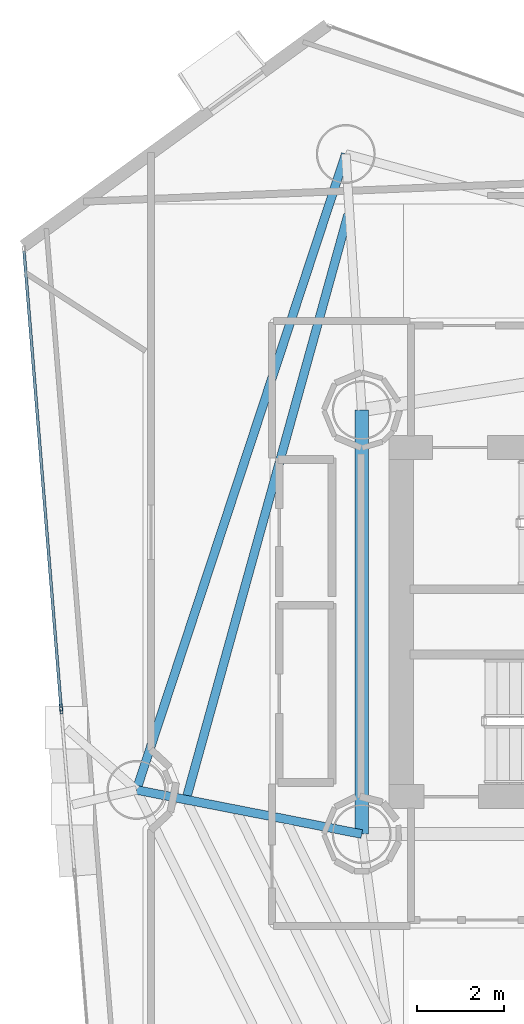
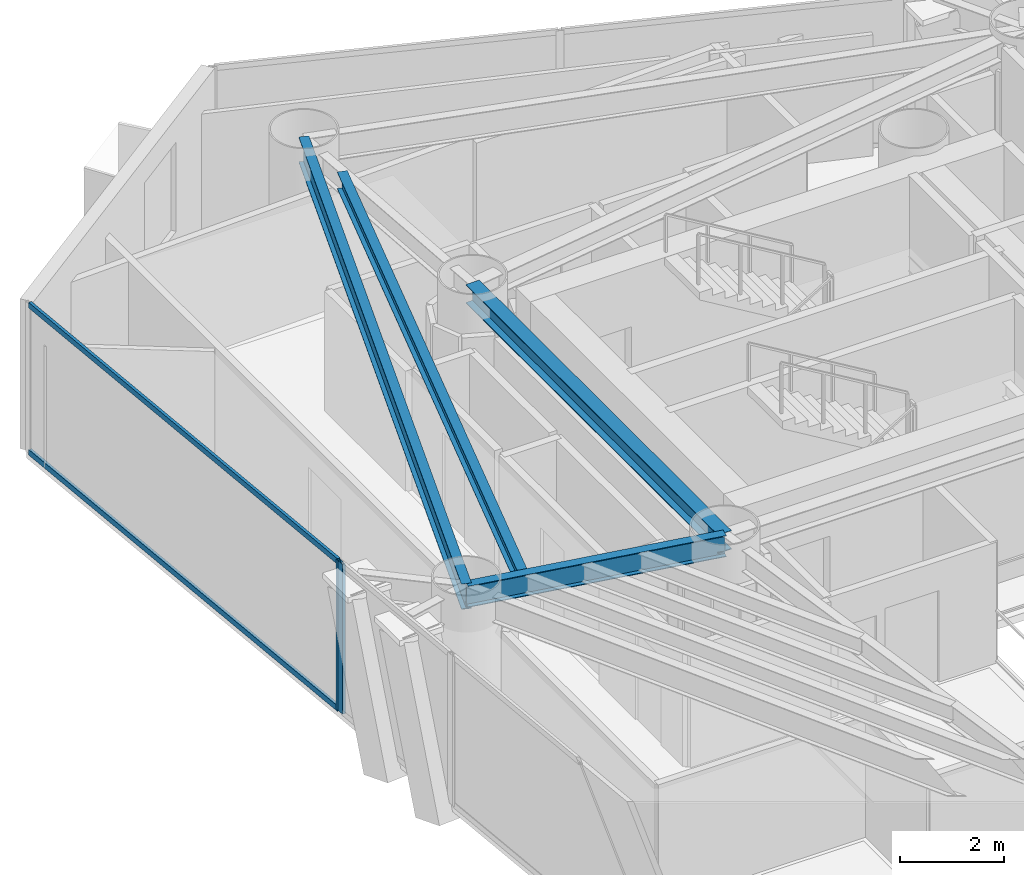
# One storey, part 9 of 21: 4 beams, 4 members, 2 elements without a shape of their own.
"""IFC4 building model written with IfcOpenShell, lengths in metres."""

from ifc_helpers import new_model, si_unit, direction, frame, origin, origin_2d, place, context, subcontext, project, spatial, hollow_rectangle, i_section, extrude, material, layer, layer_set, material_profile, profile_set, type_object, element, aggregate, save


model = new_model("IFC4")

# Units and contexts
model_context = context("Model", 3, precision=1e-05, world=origin(), true_north=direction((0.0, 1.0)))
body_context = subcontext(model_context, "Body", "Model", "MODEL_VIEW")
ifc_project = project(units=[si_unit("LENGTHUNIT", "METRE"), si_unit("AREAUNIT", "SQUARE_METRE"), si_unit("VOLUMEUNIT", "CUBIC_METRE"), si_unit("PLANEANGLEUNIT", "RADIAN"), si_unit("MASSUNIT", "GRAM", prefix="KILO")], contexts=[model_context])

# Site, building, storey
site_placement = place(None, origin())
site = spatial("IfcSite", under=ifc_project, at=site_placement, CompositionType="ELEMENT")
building_placement = place(site_placement, origin())
building = spatial("IfcBuilding", under=site, at=building_placement, Name="Qianvela Tower", CompositionType="ELEMENT")
storey_placement = place(building_placement, frame((0.0, 0.0, 166.10009765625)))
storey = spatial("IfcBuildingStorey", under=building, at=storey_placement, Name="L42", CompositionType="ELEMENT", Elevation=166.10009765625)

# Beams
ifc_material_1 = material(Name="Steel Q355B", Category="steel")
ifc_material_profile_1 = material_profile(ifc_material_1, i_section(OverallWidth=0.300048828125, OverallDepth=0.43994140625, WebThickness=0.010986328125, FlangeThickness=0.01806640625, at=origin_2d()), Name="HM440x300x11x18")
ifc_profile_set_1 = profile_set([ifc_material_profile_1], Name="Steel Q355B")
beam_type_1 = type_object("IfcBeamType", Name="BM-HM440-COLL", PredefinedType="BEAM", material=ifc_profile_set_1)
beam_1_placement = place(storey_placement, frame((28.60009765625, 33.550048828125, 3.2978515625), z_axis=(0.0, -1.0, 0.0), x_axis=(1.0, 0.0, 0.0)))
element("IfcBeam", 1, at=beam_1_placement, inside=storey, type_object=beam_type_1, Name="L42 Core Ring Collector Girder CC2", PredefinedType="BEAM", context=body_context, shape_type="SweptSolid", body=[
    extrude(i_section(OverallWidth=0.300048828125, OverallDepth=0.43994140625, WebThickness=0.010986328125, FlangeThickness=0.01806640625, at=origin_2d()), origin(), (0.0, 0.0, 1.0), 9.699951171875),
])
ifc_material_2 = material(Name="Steel Q355B", Category="steel")
ifc_material_profile_2 = material_profile(ifc_material_2, i_section(OverallWidth=0.199951171875, OverallDepth=0.39990234375, WebThickness=0.008056640625, FlangeThickness=0.012939453125, at=origin_2d()), Name="HN400x200x8x13")
ifc_profile_set_2 = profile_set([ifc_material_profile_2], Name="Steel Q355B")
beam_type_2 = type_object("IfcBeamType", Name="BM-HN400-JOIST", PredefinedType="JOIST", material=ifc_profile_set_2)
beam_2_placement = place(storey_placement, frame((28.289794921875, 38.029052734375, 3.31787109375), z_axis=(-0.266971346744, -0.963704467157, 0.0), x_axis=(0.963704467157, -0.266971346744, 0.0)))
element("IfcBeam", 2, at=beam_2_placement, inside=storey, type_object=beam_type_2, Name="L42 Secondary Composite Floor Joist 3.3", PredefinedType="JOIST", context=body_context, shape_type="SweptSolid", body=[
    extrude(i_section(OverallWidth=0.199951171875, OverallDepth=0.39990234375, WebThickness=0.008056640625, FlangeThickness=0.012939453125, at=origin_2d()), origin(), (0.0, 0.0, 1.0), 13.800537109375),
])
ifc_material_3 = material(Name="Steel Q355B", Category="steel")
ifc_material_profile_3 = material_profile(ifc_material_3, i_section(OverallWidth=0.199951171875, OverallDepth=0.5, WebThickness=0.010009765625, FlangeThickness=0.01611328125, at=origin_2d()), Name="HN500x200x10x16")
ifc_profile_set_3 = profile_set([ifc_material_profile_3], Name="Steel Q355B")
beam_type_3 = type_object("IfcBeamType", Name="BM-HN500-GIRD", PredefinedType="BEAM", material=ifc_profile_set_3)
beam_3_placement = place(storey_placement, frame((28.60009765625, 23.85009765625, 3.267822265625), z_axis=(-0.98137875074, 0.192082658238, 0.0), x_axis=(-0.192082658238, -0.98137875074, 0.0)))
element("IfcBeam", 3, at=beam_3_placement, inside=storey, type_object=beam_type_3, Name="L42 Radial Primary Floor Girder 4", PredefinedType="BEAM", context=body_context, shape_type="SweptSolid", body=[
    extrude(i_section(OverallWidth=0.199951171875, OverallDepth=0.5, WebThickness=0.010009765625, FlangeThickness=0.01611328125, at=origin_2d()), origin(), (0.0, 0.0, 1.0), 5.251953125),
])
ifc_material_4 = material(Name="Steel Q355B", Category="steel")
ifc_material_profile_4 = material_profile(ifc_material_4, i_section(OverallWidth=0.199951171875, OverallDepth=0.60009765625, WebThickness=0.010986328125, FlangeThickness=0.01708984375, at=origin_2d()), Name="HN600x200x11x17")
ifc_profile_set_4 = profile_set([ifc_material_profile_4], Name="Steel Q355B")
beam_type_4 = type_object("IfcBeamType", Name="BM-HN600-GIRD", PredefinedType="BEAM", material=ifc_profile_set_4)
beam_4_placement = place(storey_placement, frame((28.235107421875, 39.410888671875, 3.218017578125), z_axis=(-0.312606332657, -0.949882772126, 0.0), x_axis=(0.949882772126, -0.312606332657, 0.0)))
element("IfcBeam", 4, at=beam_4_placement, inside=storey, type_object=beam_type_4, Name="L42 Perimeter Ring Spandrel Girder 3", PredefinedType="BEAM", context=body_context, shape_type="SweptSolid", body=[
    extrude(i_section(OverallWidth=0.199951171875, OverallDepth=0.60009765625, WebThickness=0.010986328125, FlangeThickness=0.01708984375, at=origin_2d()), origin(), (0.0, 0.0, 1.0), 15.31982421875),
])

# Curtain wall, member
ifc_material_5 = material(Name="Anodised Architectural Aluminium and Insulated Spandrel Panel", Category="aluminium")
ifc_layer_1 = layer(ifc_material_5, 0.179931640625)
ifc_layer_set_1 = layer_set([ifc_layer_1], Name="Anodised Architectural Aluminium and Insulated Spandrel Panel")
curtain_wall_type_1 = type_object("IfcCurtainWallType", Name="CW-BRACEBAY", PredefinedType="USERDEFINED", material=ifc_layer_set_1)
curtain_wall_1_placement = place(storey_placement, origin())
curtain_wall_1 = element("IfcCurtainWall", 5, at=curtain_wall_1_placement, inside=storey, type_object=curtain_wall_type_1, Name="L42 CW-BRACEBAY Curtain Wall 04B", ObjectType="CURTAIN_WALL_SYSTEM", PredefinedType="USERDEFINED")
ifc_material_6 = material(Name="Anodised Architectural Aluminium 6063-T6", Category="aluminium")
ifc_material_profile_5 = material_profile(ifc_material_6, hollow_rectangle(XDim=0.06494140625, YDim=0.159912109375, WallThickness=0.0048828125, at=origin_2d()), Name="ALU-MULL-65x160")
ifc_profile_set_5 = profile_set([ifc_material_profile_5], Name="Anodised Architectural Aluminium 6063-T6")
member_type_1 = type_object("IfcMemberType", Name="CW-BRACEBAY-MULL", PredefinedType="MULLION", material=ifc_profile_set_5)
member_1_placement = place(storey_placement, frame((21.72607421875, 26.6806640625, 0.0), z_axis=(0.0, 0.0, 1.0), x_axis=(0.996722248433, 0.080899687757, 0.0)))
member_1 = element("IfcMember", 6, at=member_1_placement, type_object=member_type_1, Name="CW-9 mullion 1", PredefinedType="MULLION", context=body_context, shape_type="SweptSolid", body=[
    extrude(hollow_rectangle(XDim=0.06494140625, YDim=0.159912109375, WallThickness=0.0048828125, at=origin_2d()), origin(), (0.0, 0.0, 1.0), 3.52001953125),
])
aggregate(curtain_wall_1, [member_1])

# Curtain wall, members
ifc_material_7 = material(Name="Anodised Architectural Aluminium and Low-E Glass", Category="aluminium")
ifc_layer_2 = layer(ifc_material_7, 0.169921875)
ifc_layer_set_2 = layer_set([ifc_layer_2], Name="Anodised Architectural Aluminium and Low-E Glass")
curtain_wall_type_2 = type_object("IfcCurtainWallType", Name="CW-COLIV-Z34", PredefinedType="USERDEFINED", material=ifc_layer_set_2)
curtain_wall_2_placement = place(storey_placement, origin())
curtain_wall_2 = element("IfcCurtainWall", 7, at=curtain_wall_2_placement, inside=storey, type_object=curtain_wall_type_2, Name="L42 CW-COLIV-Z34 Curtain Wall 04A", ObjectType="CURTAIN_WALL_SYSTEM", PredefinedType="USERDEFINED")
ifc_material_8 = material(Name="Anodised Architectural Aluminium 6063-T6", Category="aluminium")
ifc_material_profile_6 = material_profile(ifc_material_8, hollow_rectangle(XDim=0.06494140625, YDim=0.159912109375, WallThickness=0.0048828125, at=origin_2d()), Name="ALU-MULL-65x160")
ifc_profile_set_6 = profile_set([ifc_material_profile_6], Name="Anodised Architectural Aluminium 6063-T6")
member_type_2 = type_object("IfcMemberType", Name="CW-COLIV-Z34-MULL", PredefinedType="MULLION", material=ifc_profile_set_6)
member_2_placement = place(storey_placement, frame((21.720947265625, 26.745361328125, 0.0), z_axis=(0.0, 0.0, 1.0), x_axis=(0.996722439551, 0.080897333058, 0.0)))
member_2 = element("IfcMember", 8, at=member_2_placement, type_object=member_type_2, Name="CW-4 mullion 2", PredefinedType="MULLION", context=body_context, shape_type="SweptSolid", body=[
    extrude(hollow_rectangle(XDim=0.06494140625, YDim=0.159912109375, WallThickness=0.0048828125, at=origin_2d()), origin(), (0.0, 0.0, 1.0), 3.52001953125),
])
ifc_material_9 = material(Name="Anodised Architectural Aluminium 6063-T6", Category="aluminium")
ifc_material_profile_7 = material_profile(ifc_material_9, hollow_rectangle(XDim=0.06494140625, YDim=0.1298828125, WallThickness=0.00439453125, at=origin_2d()), Name="ALU-TRAN-65x130")
ifc_profile_set_7 = profile_set([ifc_material_profile_7], Name="Anodised Architectural Aluminium 6063-T6")
member_type_3 = type_object("IfcMemberType", Name="CW-COLIV-Z34-TRAN", PredefinedType="USERDEFINED", material=ifc_profile_set_7)
member_3_placement = place(storey_placement, frame((20.872802734375, 37.193603515625, 0.032470703125), z_axis=(0.080904945001, -0.996721821711, 0.0), x_axis=(0.996721821711, 0.080904945001, 0.0)))
member_3 = element("IfcMember", 9, at=member_3_placement, type_object=member_type_3, Name="CW-4 transom 1.1", ObjectType="TRANSOM", PredefinedType="USERDEFINED", context=body_context, shape_type="SweptSolid", body=[
    extrude(hollow_rectangle(XDim=0.06494140625, YDim=0.1298828125, WallThickness=0.00439453125, at=origin_2d()), origin(), (0.0, 0.0, 1.0), 10.449951171875),
])
member_4_placement = place(storey_placement, frame((20.872802734375, 37.193603515625, 3.4873046875), z_axis=(0.080904945001, -0.996721821711, 0.0), x_axis=(0.996721821711, 0.080904945001, 0.0)))
member_4 = element("IfcMember", 10, at=member_4_placement, type_object=member_type_3, Name="CW-4 transom 1.2", ObjectType="TRANSOM", PredefinedType="USERDEFINED", context=body_context, shape_type="SweptSolid", body=[
    extrude(hollow_rectangle(XDim=0.06494140625, YDim=0.1298828125, WallThickness=0.00439453125, at=origin_2d()), origin(), (0.0, 0.0, 1.0), 10.449951171875),
])
aggregate(curtain_wall_2, [member_2, member_3, member_4])

save(model, "model.ifc")
